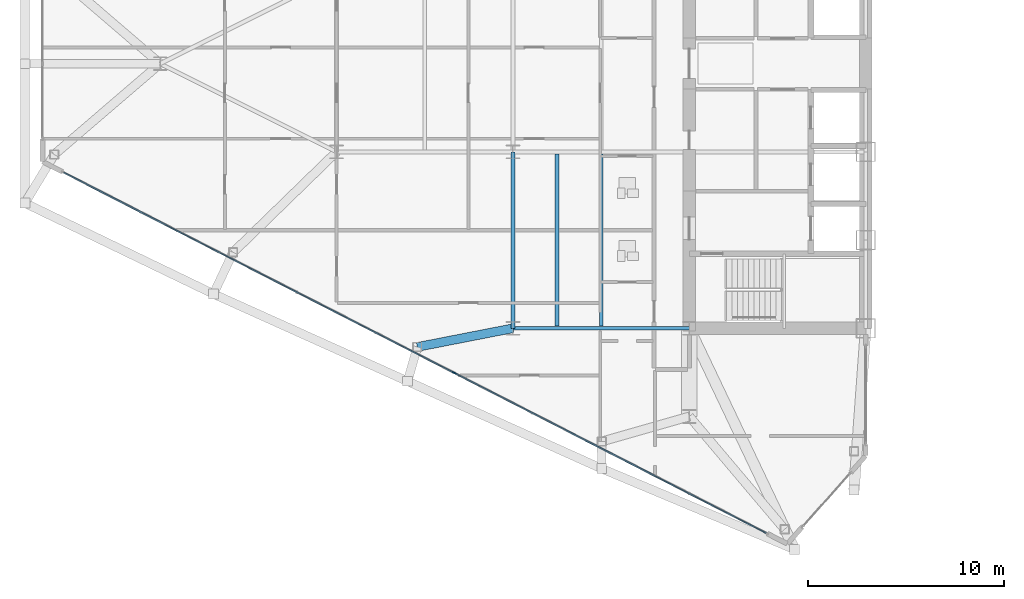
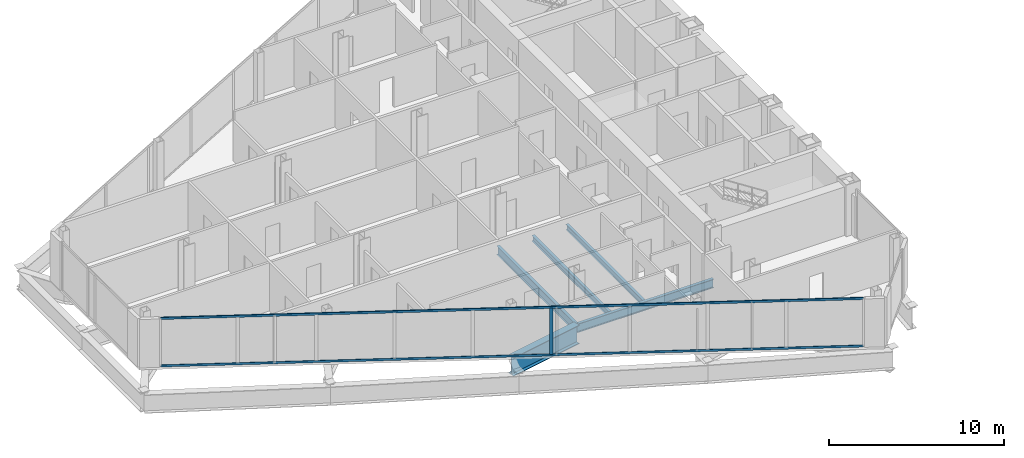
# One storey, part 4 of 28: 5 beams, 3 members, 1 element without a shape of its own.
"""IFC4 building model written with IfcOpenShell, lengths in metres."""

from ifc_helpers import new_model, si_unit, direction, frame, origin, origin_2d, place, context, subcontext, project, spatial, rectangle, i_section, extrude, source, transform, mapped, material, layer, layer_set, material_profile, profile_set, type_object, type_shapes, element, aggregate, save


model = new_model("IFC4")

# Units and contexts
model_context = context("Model", 3, precision=1e-05, world=origin(), true_north=direction((0.0, 1.0)))
body_context = subcontext(model_context, "Body", "Model", "MODEL_VIEW")
ifc_project = project(units=[si_unit("LENGTHUNIT", "METRE"), si_unit("AREAUNIT", "SQUARE_METRE"), si_unit("VOLUMEUNIT", "CUBIC_METRE"), si_unit("PLANEANGLEUNIT", "RADIAN"), si_unit("MASSUNIT", "GRAM", prefix="KILO")], contexts=[model_context])

# Site, building, storey
site_placement = place(None, origin())
site = spatial("IfcSite", under=ifc_project, at=site_placement, CompositionType="ELEMENT")
building_placement = place(site_placement, origin())
building = spatial("IfcBuilding", under=site, at=building_placement, Name="Seokmaru Belvedere", CompositionType="ELEMENT")
storey_placement = place(building_placement, frame((0.0, 0.0, 110.39990234375)))
storey = spatial("IfcBuildingStorey", under=building, at=storey_placement, Name="L29", CompositionType="ELEMENT", Elevation=110.39990234375)

# Beams
ifc_material_1 = material(Name="Steel SM355 (355 MPa)", Category="steel")
ifc_material_profile_1 = material_profile(ifc_material_1, i_section(OverallWidth=0.199951171875, OverallDepth=0.60009765625, WebThickness=0.010986328125, FlangeThickness=0.01708984375, at=origin_2d()), Name="H-600x200x11x17")
ifc_profile_set_1 = profile_set([ifc_material_profile_1], Name="Steel SM355 (355 MPa)")
beam_type_1 = type_object("IfcBeamType", Name="Primary Floor Girder H-600", PredefinedType="BEAM", material=ifc_profile_set_1)
shared_shape_1 = source(origin(), body_context, "Body", "SweptSolid", [
    extrude(i_section(OverallWidth=0.199951171875, OverallDepth=0.60009765625, WebThickness=0.010986328125, FlangeThickness=0.01708984375, at=origin_2d()), origin(), (0.0, 0.0, 1.0), 9.0),
])
type_shapes(beam_type_1, [shared_shape_1])
for number, where, z_axis, x_axis, name in (
    (1, (-45.5, -13.5, -0.52001953125), (0.0, 1.0, 0.0), (-1.0, 0.0, 0.0), "L29 W Interior Grid Girder 1"),
    (2, (-45.5, -13.5, -0.52001953125), (1.0, 0.0, 0.0), (0.0, 1.0, 0.0), "L29 W Wing Primary Girder 1"),
):
    element("IfcBeam", number, at=place(storey_placement, frame(where, z_axis=z_axis, x_axis=x_axis)), inside=storey, type_object=beam_type_1, Name=name, PredefinedType="BEAM", context=body_context, shape_type="MappedRepresentation", body=[
        mapped(shared_shape_1, transform((0.0, 0.0, 0.0), scale=1.0)),
    ])
ifc_material_profile_2 = material_profile(ifc_material_1, i_section(OverallWidth=0.18505859375, OverallDepth=0.389892578125, WebThickness=0.008056640625, FlangeThickness=0.011962890625, at=origin_2d()), Name="H-390x185x8x12")
ifc_profile_set_2 = profile_set([ifc_material_profile_2], Name="Steel SM355 (355 MPa)")
beam_type_2 = type_object("IfcBeamType", Name="Secondary Floor Joist H-350", PredefinedType="JOIST", material=ifc_profile_set_2)
shared_shape_2 = source(origin(), body_context, "Body", "SweptSolid", [
    extrude(i_section(OverallWidth=0.18505859375, OverallDepth=0.389892578125, WebThickness=0.008056640625, FlangeThickness=0.011962890625, at=origin_2d()), origin(), (0.0, 0.0, 1.0), 8.7900390625),
])
type_shapes(beam_type_2, [shared_shape_2])
for number, where, z_axis, x_axis, name in (
    (3, (-43.25, -13.39501953125, -0.414794921875), (0.0, 1.0, 0.0), (-1.0, 0.0, 0.0), "L29 W Wing Inner Secondary Joist 1"),
    (4, (-41.0, -13.39501953125, -0.414794921875), (0.0, 1.0, 0.0), (-1.0, 0.0, 0.0), "L29 W Secondary Floor Joist 1"),
):
    element("IfcBeam", number, at=place(storey_placement, frame(where, z_axis=z_axis, x_axis=x_axis)), inside=storey, type_object=beam_type_2, Name=name, PredefinedType="JOIST", context=body_context, shape_type="MappedRepresentation", body=[
        mapped(shared_shape_2, transform((0.0, 0.0, 0.0), scale=1.0)),
    ])
ifc_material_2 = material(Name="Steel HSA650 (650 MPa)", Category="steel")
ifc_material_profile_3 = material_profile(ifc_material_2, i_section(OverallWidth=0.449951171875, OverallDepth=1.300048828125, WebThickness=0.02197265625, FlangeThickness=0.0380859375, at=origin_2d()), Name="BH-1300x450x22x38")
ifc_profile_set_3 = profile_set([ifc_material_profile_3], Name="Steel HSA650 (650 MPa)")
beam_type_3 = type_object("IfcBeamType", Name="Observatory Long-Span Roof Girder BH-1300", PredefinedType="BEAM", material=ifc_profile_set_3)
shared_shape_3 = source(origin(), body_context, "Body", "SweptSolid", [
    extrude(i_section(OverallWidth=0.449951171875, OverallDepth=1.300048828125, WebThickness=0.02197265625, FlangeThickness=0.0380859375, at=origin_2d()), origin(), (0.0, 0.0, 1.0), 4.969482421875),
])
type_shapes(beam_type_3, [shared_shape_3])
beam_placement = place(storey_placement, frame((-50.377197265625, -14.453369140625, -0.869873046875), z_axis=(0.98142544456, 0.19184393858, 0.0), x_axis=(-0.19184393858, 0.98142544456, 0.0)))
element("IfcBeam", 5, at=beam_placement, inside=storey, type_object=beam_type_3, Name="L29 W Flank Setback Back-Span Girder S-2", PredefinedType="BEAM", context=body_context, shape_type="MappedRepresentation", body=[
    mapped(shared_shape_3, transform((0.0, 0.0, 0.0), scale=1.0)),
])

# Curtain wall, members
ifc_material_3 = material(Name="Bronze Triple Insulating Glass", Category="glass")
ifc_layer = layer(ifc_material_3, 0.195068359375)
ifc_layer_set = layer_set([ifc_layer], Name="Bronze Triple Insulating Glass")
curtain_wall_type = type_object("IfcCurtainWallType", Name="Sky-Lobby and Mid-Rise Curtain Wall System CW-4", PredefinedType="NOTDEFINED", material=ifc_layer_set)
curtain_wall_placement = place(storey_placement, origin())
curtain_wall = element("IfcCurtainWall", 6, at=curtain_wall_placement, inside=storey, type_object=curtain_wall_type, Name="L29 Curtain Wall WF5", PredefinedType="NOTDEFINED")
ifc_material_4 = material(Name="Anodised Bronze Aluminium", Category="aluminium")
ifc_material_profile_4 = material_profile(ifc_material_4, rectangle(XDim=0.070068359375, YDim=0.195068359375, at=origin_2d()), Name="CW-M-70x195")
ifc_profile_set_4 = profile_set([ifc_material_profile_4], Name="Anodised Bronze Aluminium")
member_type_1 = type_object("IfcMemberType", Name="Bronze Unitised Mullion 70x195", PredefinedType="MULLION", material=ifc_profile_set_4)
shared_shape_4 = source(origin(), body_context, "Body", "SweptSolid", [
    extrude(rectangle(XDim=0.070068359375, YDim=0.195068359375, at=origin_2d()), origin(), (0.0, 0.0, 1.0), 3.25),
])
type_shapes(member_type_1, [shared_shape_4])
member_1_placement = place(storey_placement, frame((-48.502685546875, -15.77490234375, 0.065185546875), z_axis=(0.0, 0.0, 1.0), x_axis=(0.456554528263, 0.889695432562, 0.0)))
member_1 = element("IfcMember", 7, at=member_1_placement, type_object=member_type_1, Name="CW:L29:WF5 Mullion 6", PredefinedType="MULLION", context=body_context, shape_type="MappedRepresentation", body=[
    mapped(shared_shape_4, transform((0.0, 0.0, 0.0), scale=1.0)),
])
ifc_material_profile_5 = material_profile(ifc_material_4, rectangle(XDim=0.06494140625, YDim=0.14990234375, at=origin_2d()), Name="CW-T-65x150")
ifc_profile_set_5 = profile_set([ifc_material_profile_5], Name="Anodised Bronze Aluminium")
member_type_2 = type_object("IfcMemberType", Name="Bronze Unitised Transom 65x150", PredefinedType="USERDEFINED", material=ifc_profile_set_5)
shared_shape_5 = source(origin(), body_context, "Body", "SweptSolid", [
    extrude(rectangle(XDim=0.06494140625, YDim=0.14990234375, at=origin_2d()), origin(), (0.0, 0.0, 1.0), 40.271240234375),
])
type_shapes(member_type_2, [shared_shape_5])
member_2_placement = place(storey_placement, frame((-68.41455078125, -5.556884765625, 0.03271484375), z_axis=(0.889693089107, -0.456559094965, 0.0), x_axis=(0.456559094965, 0.889693089107, 0.0)))
member_2 = element("IfcMember", 8, at=member_2_placement, type_object=member_type_2, Name="CW:L29:WF5 Continuous Transom 1", ObjectType="TRANSOM", PredefinedType="USERDEFINED", context=body_context, shape_type="MappedRepresentation", body=[
    mapped(shared_shape_5, transform((0.0, 0.0, 0.0), scale=1.0)),
])
member_3_placement = place(storey_placement, frame((-68.41455078125, -5.556884765625, 3.34765625), z_axis=(0.889693089107, -0.456559094965, 0.0), x_axis=(0.456559094965, 0.889693089107, 0.0)))
member_3 = element("IfcMember", 9, at=member_3_placement, type_object=member_type_2, Name="CW:L29:WF5 Continuous Transom 2", ObjectType="TRANSOM", PredefinedType="USERDEFINED", context=body_context, shape_type="MappedRepresentation", body=[
    mapped(shared_shape_5, transform((0.0, 0.0, 0.0), scale=1.0)),
])
aggregate(curtain_wall, [member_1, member_2, member_3])

save(model, "model.ifc")
